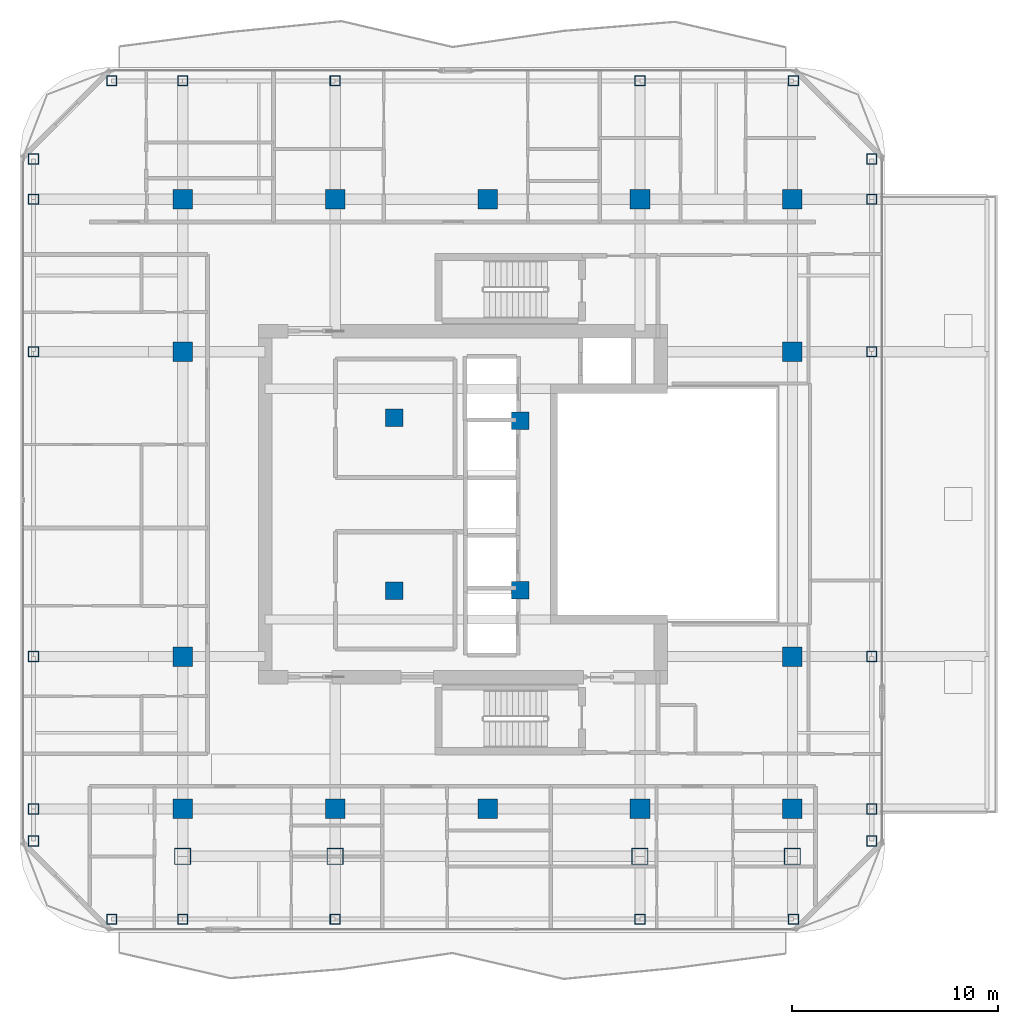
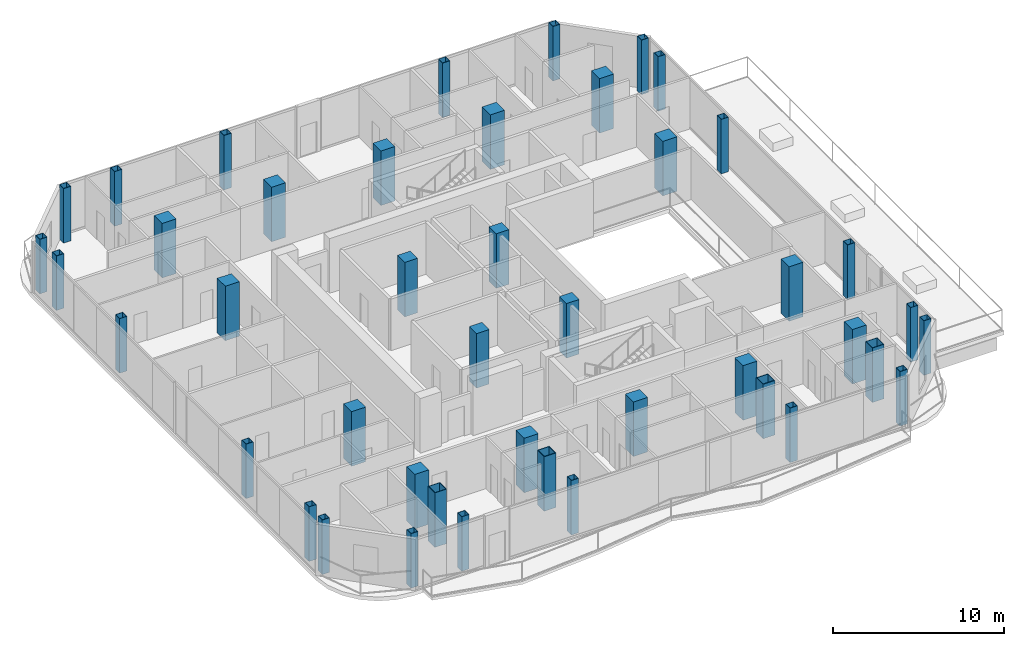
# One storey, part 1 of 24: 44 columns.
"""IFC4 building model written with IfcOpenShell, lengths in metres."""

from ifc_helpers import new_model, si_unit, direction, frame, origin, origin_2d, place, context, subcontext, project, spatial, rectangle, hollow_rectangle, extrude, material, material_profile, profile_set, type_object, element, save


model = new_model("IFC4")

# Units and contexts
model_context = context("Model", 3, precision=1e-05, world=origin(), true_north=direction((0.0, 1.0)))
body_context = subcontext(model_context, "Body", "Model", "MODEL_VIEW")
ifc_project = project(units=[si_unit("LENGTHUNIT", "METRE"), si_unit("AREAUNIT", "SQUARE_METRE"), si_unit("VOLUMEUNIT", "CUBIC_METRE"), si_unit("PLANEANGLEUNIT", "RADIAN"), si_unit("MASSUNIT", "GRAM", prefix="KILO")], contexts=[model_context])

# Site, building, storey
site_placement = place(None, origin())
site = spatial("IfcSite", under=ifc_project, at=site_placement, CompositionType="ELEMENT")
building_placement = place(site_placement, origin())
building = spatial("IfcBuilding", under=site, at=building_placement, Name="Khorvyn Point Tower", CompositionType="ELEMENT")
storey_placement = place(building_placement, frame((0.0, 0.0, 285.89990234375)))
storey = spatial("IfcBuildingStorey", under=building, at=storey_placement, Name="L70", CompositionType="ELEMENT", Elevation=285.89990234375)

# Columns
ifc_material_1 = material(Name="Concrete C40/50", Category="concrete")
ifc_material_profile_1 = material_profile(ifc_material_1, rectangle(XDim=0.85009765625, YDim=0.85009765625, at=origin_2d()))
ifc_profile_set_1 = profile_set([ifc_material_profile_1], Name="Concrete C40/50 RC850x850")
column_type_1 = type_object("IfcColumnType", Name="Concrete C40/50 Column RC850x850", PredefinedType="COLUMN", material=ifc_profile_set_1)
for number, where, z_axis, x_axis, name in (
    (1, (-4.52001953125, -4.199951171875, 0.0), (0.0, 0.0, 1.0), (1.0, 0.0, 0.0), "L70 Crown Core Spine Column 1"),
    (2, (1.580078125, -4.179931640625, 0.0), (0.0, 0.0, 1.0), (1.0, 0.0, 0.0), "L70 Crown Core Spine Column 2"),
    (3, (1.580078125, 4.050048828125, 0.0), (0.0, 0.0, 1.0), (1.0, 0.0, 0.0), "L70 Crown Core Spine Column 3"),
    (4, (-4.52001953125, 4.199951171875, 0.0), (0.0, 0.0, 1.0), (1.0, 0.0, 0.0), "L70 Crown Core Spine Column 4"),
):
    element("IfcColumn", number, at=place(storey_placement, frame(where, z_axis=z_axis, x_axis=x_axis)), inside=storey, type_object=column_type_1, Name=name, PredefinedType="COLUMN", context=body_context, shape_type="SweptSolid", body=[
        extrude(rectangle(XDim=0.85009765625, YDim=0.85009765625, at=origin_2d()), origin(), (0.0, 0.0, 1.0), 3.900146484375),
    ])
ifc_material_profile_2 = material_profile(ifc_material_1, rectangle(XDim=0.949951171875, YDim=0.949951171875, at=origin_2d()))
ifc_profile_set_2 = profile_set([ifc_material_profile_2], Name="Concrete C40/50 RC950x950")
column_type_2 = type_object("IfcColumnType", Name="Concrete C40/50 Column RC950x950", PredefinedType="COLUMN", material=ifc_profile_set_2)
for number, where, z_axis, x_axis, name in (
    (5, (-14.800048828125, -14.800048828125, 0.0), (0.0, 0.0, 1.0), (1.0, 0.0, 0.0), "L70 Mega-Column MC-01"),
    (6, (-7.39990234375, -14.800048828125, 0.0), (0.0, 0.0, 1.0), (1.0, 0.0, 0.0), "L70 Mega-Column MC-02"),
    (7, (0.0, -14.800048828125, 0.0), (0.0, 0.0, 1.0), (1.0, 0.0, 0.0), "L70 Mega-Column MC-03"),
    (8, (7.39990234375, -14.800048828125, 0.0), (0.0, 0.0, 1.0), (1.0, 0.0, 0.0), "L70 Mega-Column MC-04"),
    (9, (14.800048828125, -14.800048828125, 0.0), (0.0, 0.0, 1.0), (1.0, 0.0, 0.0), "L70 Mega-Column MC-05"),
    (10, (-14.800048828125, 14.800048828125, 0.0), (0.0, 0.0, 1.0), (1.0, 0.0, 0.0), "L70 Mega-Column MC-06"),
    (11, (-7.39990234375, 14.800048828125, 0.0), (0.0, 0.0, 1.0), (1.0, 0.0, 0.0), "L70 Mega-Column MC-07"),
    (12, (0.0, 14.800048828125, 0.0), (0.0, 0.0, 1.0), (1.0, 0.0, 0.0), "L70 Mega-Column MC-08"),
    (13, (7.39990234375, 14.800048828125, 0.0), (0.0, 0.0, 1.0), (1.0, 0.0, 0.0), "L70 Mega-Column MC-09"),
    (14, (14.800048828125, 14.800048828125, 0.0), (0.0, 0.0, 1.0), (1.0, 0.0, 0.0), "L70 Mega-Column MC-10"),
    (15, (-14.800048828125, -7.39990234375, 0.0), (0.0, 0.0, 1.0), (1.0, 0.0, 0.0), "L70 Mega-Column MC-11"),
    (16, (-14.800048828125, 7.39990234375, 0.0), (0.0, 0.0, 1.0), (1.0, 0.0, 0.0), "L70 Mega-Column MC-12"),
    (17, (14.800048828125, -7.39990234375, 0.0), (0.0, 0.0, 1.0), (1.0, 0.0, 0.0), "L70 Mega-Column MC-13"),
    (18, (14.800048828125, 7.39990234375, 0.0), (0.0, 0.0, 1.0), (1.0, 0.0, 0.0), "L70 Mega-Column MC-14"),
):
    element("IfcColumn", number, at=place(storey_placement, frame(where, z_axis=z_axis, x_axis=x_axis)), inside=storey, type_object=column_type_2, Name=name, PredefinedType="COLUMN", context=body_context, shape_type="SweptSolid", body=[
        extrude(rectangle(XDim=0.949951171875, YDim=0.949951171875, at=origin_2d()), origin(), (0.0, 0.0, 1.0), 3.900146484375),
    ])
ifc_material_2 = material(Name="Steel S355", Category="steel")
ifc_material_profile_3 = material_profile(ifc_material_2, hollow_rectangle(XDim=0.5, YDim=0.5, WallThickness=0.02490234375, at=origin_2d()))
ifc_profile_set_3 = profile_set([ifc_material_profile_3], Name="Steel S355 BOX500x500x25")
column_type_3 = type_object("IfcColumnType", Name="Steel S355 Structural Column BOX500x500x25", PredefinedType="COLUMN", material=ifc_profile_set_3)
for number, where, z_axis, x_axis, name in (
    (19, (-18.25, -20.14990234375, 0.0), (0.0, 0.0, 1.0), (1.0, 0.0, 0.0), "L70 Perimeter Tube Column TC-01"),
    (20, (14.85009765625, -20.14990234375, 0.0), (0.0, 0.0, 1.0), (1.0, 0.0, 0.0), "L70 Perimeter Tube Column TC-02"),
    (21, (-18.25, 20.550048828125, 0.0), (0.0, 0.0, 1.0), (1.0, 0.0, 0.0), "L70 Perimeter Tube Column TC-03"),
    (22, (14.85009765625, 20.550048828125, 0.0), (0.0, 0.0, 1.0), (1.0, 0.0, 0.0), "L70 Perimeter Tube Column TC-04"),
    (23, (-22.050048828125, -16.35009765625, 0.0), (0.0, 0.0, 1.0), (1.0, 0.0, 0.0), "L70 Perimeter Tube Column TC-05"),
    (24, (-22.050048828125, 16.75, 0.0), (0.0, 0.0, 1.0), (1.0, 0.0, 0.0), "L70 Perimeter Tube Column TC-06"),
    (25, (18.64990234375, -16.35009765625, 0.0), (0.0, 0.0, 1.0), (1.0, 0.0, 0.0), "L70 Perimeter Tube Column TC-07"),
    (26, (18.64990234375, 16.75, 0.0), (0.0, 0.0, 1.0), (1.0, 0.0, 0.0), "L70 Perimeter Tube Column TC-08"),
    (27, (-14.800048828125, -20.14990234375, 0.0), (0.0, 0.0, 1.0), (1.0, 0.0, 0.0), "L70 Perimeter Tube Column TC-09"),
    (28, (-14.800048828125, 20.550048828125, 0.0), (0.0, 0.0, 1.0), (1.0, 0.0, 0.0), "L70 Perimeter Tube Column TC-10"),
    (29, (-7.39990234375, -20.14990234375, 0.0), (0.0, 0.0, 1.0), (1.0, 0.0, 0.0), "L70 Perimeter Tube Column TC-11"),
    (30, (-7.39990234375, 20.550048828125, 0.0), (0.0, 0.0, 1.0), (1.0, 0.0, 0.0), "L70 Perimeter Tube Column TC-12"),
    (31, (7.39990234375, -20.14990234375, 0.0), (0.0, 0.0, 1.0), (1.0, 0.0, 0.0), "L70 Perimeter Tube Column TC-13"),
    (32, (7.39990234375, 20.550048828125, 0.0), (0.0, 0.0, 1.0), (1.0, 0.0, 0.0), "L70 Perimeter Tube Column TC-14"),
    (33, (-22.050048828125, -14.800048828125, 0.0), (0.0, 0.0, 1.0), (1.0, 0.0, 0.0), "L70 Perimeter Tube Column TC-15"),
    (34, (18.64990234375, -14.800048828125, 0.0), (0.0, 0.0, 1.0), (1.0, 0.0, 0.0), "L70 Perimeter Tube Column TC-16"),
    (35, (-22.050048828125, -7.39990234375, 0.0), (0.0, 0.0, 1.0), (1.0, 0.0, 0.0), "L70 Perimeter Tube Column TC-17"),
    (36, (18.64990234375, -7.39990234375, 0.0), (0.0, 0.0, 1.0), (1.0, 0.0, 0.0), "L70 Perimeter Tube Column TC-18"),
    (37, (-22.050048828125, 7.39990234375, 0.0), (0.0, 0.0, 1.0), (1.0, 0.0, 0.0), "L70 Perimeter Tube Column TC-19"),
    (38, (18.64990234375, 7.39990234375, 0.0), (0.0, 0.0, 1.0), (1.0, 0.0, 0.0), "L70 Perimeter Tube Column TC-20"),
    (39, (-22.050048828125, 14.800048828125, 0.0), (0.0, 0.0, 1.0), (1.0, 0.0, 0.0), "L70 Perimeter Tube Column TC-21"),
    (40, (18.64990234375, 14.800048828125, 0.0), (0.0, 0.0, 1.0), (1.0, 0.0, 0.0), "L70 Perimeter Tube Column TC-22"),
):
    element("IfcColumn", number, at=place(storey_placement, frame(where, z_axis=z_axis, x_axis=x_axis)), inside=storey, type_object=column_type_3, Name=name, PredefinedType="COLUMN", context=body_context, shape_type="SweptSolid", body=[
        extrude(hollow_rectangle(XDim=0.5, YDim=0.5, WallThickness=0.02490234375, at=origin_2d()), origin(), (0.0, 0.0, 1.0), 3.900146484375),
    ])
ifc_material_3 = material(Name="Steel S450", Category="steel")
ifc_material_profile_4 = material_profile(ifc_material_3, hollow_rectangle(XDim=0.800048828125, YDim=0.800048828125, WallThickness=0.035888671875, at=origin_2d()))
ifc_profile_set_4 = profile_set([ifc_material_profile_4], Name="Steel S450 BOX800x800x36")
column_type_4 = type_object("IfcColumnType", Name="Steel S450 Structural Column BOX800x800x36", PredefinedType="COLUMN", material=ifc_profile_set_4)
for number, where, z_axis, x_axis, name in (
    (41, (-14.800048828125, -17.10009765625, 0.0), (0.0, 0.0, 1.0), (1.0, 0.0, 0.0), "L70 Intermediate Column ICS--14"),
    (42, (-7.39990234375, -17.10009765625, 0.0), (0.0, 0.0, 1.0), (1.0, 0.0, 0.0), "L70 Intermediate Column ICS--7"),
    (43, (7.39990234375, -17.10009765625, 0.0), (0.0, 0.0, 1.0), (1.0, 0.0, 0.0), "L70 Intermediate Column ICS-7"),
    (44, (14.800048828125, -17.10009765625, 0.0), (0.0, 0.0, 1.0), (1.0, 0.0, 0.0), "L70 Intermediate Column ICS-14"),
):
    element("IfcColumn", number, at=place(storey_placement, frame(where, z_axis=z_axis, x_axis=x_axis)), inside=storey, type_object=column_type_4, Name=name, PredefinedType="COLUMN", context=body_context, shape_type="SweptSolid", body=[
        extrude(hollow_rectangle(XDim=0.800048828125, YDim=0.800048828125, WallThickness=0.035888671875, at=origin_2d()), origin(), (0.0, 0.0, 1.0), 3.900146484375),
    ])

save(model, "model.ifc")
